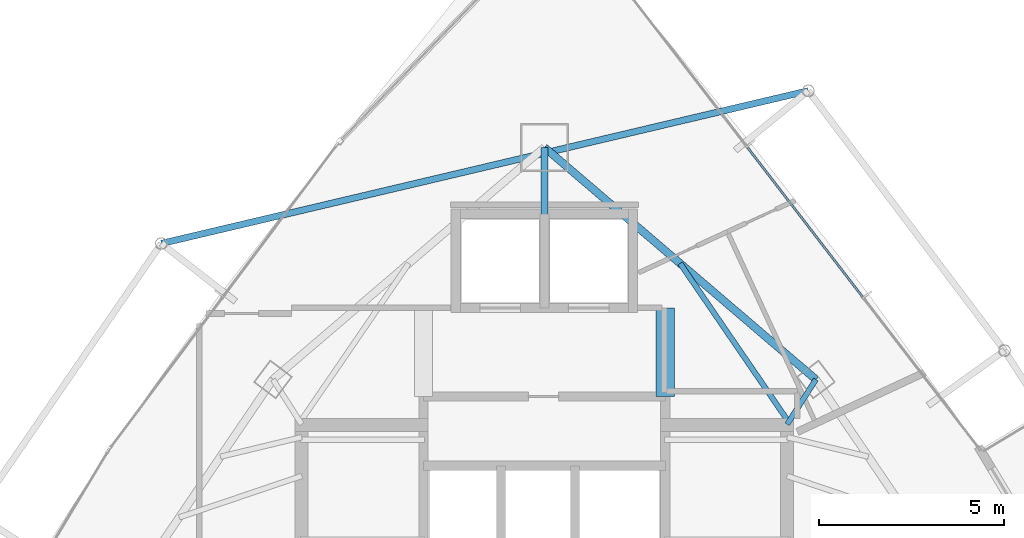
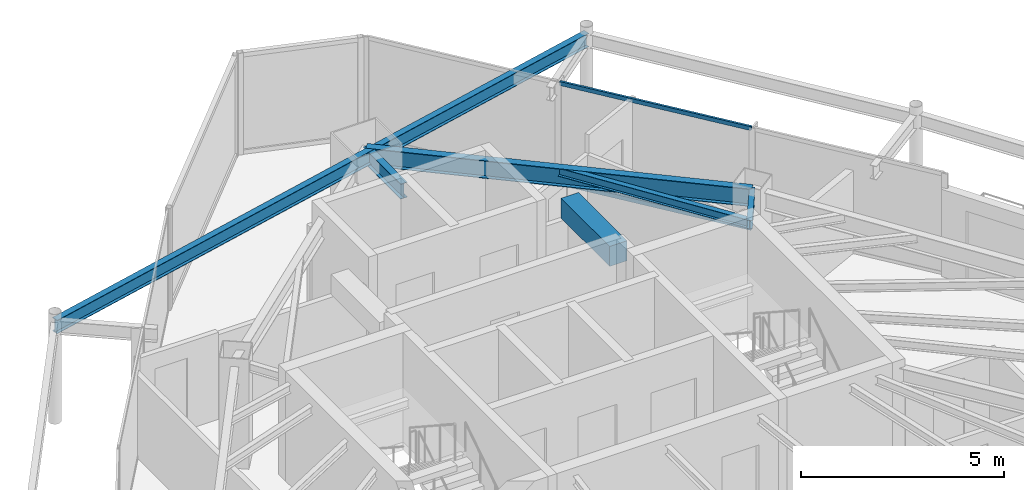
# One storey, part 25 of 33: 6 beams, 2 members, 1 element without a shape of its own.
"""IFC4 building model written with IfcOpenShell, lengths in metres."""

import ifcopenshell
import ifcopenshell.guid

model = None  # the IFC model being written
_history = None  # IfcOwnerHistory: only IFC2X3 demands one
_inside = {}  # id of a spatial element -> (the spatial element, [elements in it])
_under = {}  # id of a project, library or spatial element -> (it, [spatial elements below it])
_declared = {}  # id of a project -> (the project, [libraries it declares])
_typed = {}  # id of a type object -> (the type object, [elements of that type])
_made_of = {}  # id of a material, layer set ... -> (it, [elements and type objects made of it])


def new_model(schema):
    """Start an empty IFC model of exactly this schema.

    Asked for "IFC4X3", IfcOpenShell would pick the latest addendum, in which some entities
    have other attributes; the version numbers below select the first issue.
    IFC2X3 requires an IfcOwnerHistory on every rooted entity: one is made here for all.
    """
    global model, _history
    if schema == "IFC4X3":
        model = ifcopenshell.file(schema_version=(4, 3, 0, 0))
    else:
        model = ifcopenshell.file(schema=schema)
    _inside.clear()
    _under.clear()
    _declared.clear()
    _typed.clear()
    _made_of.clear()
    _history = None
    if model.schema == "IFC2X3":
        org = make("IfcOrganization", Name="unknown")
        user = make(
            "IfcPersonAndOrganization",
            ThePerson=make("IfcPerson", FamilyName="unknown"),
            TheOrganization=org,
        )
        app = make(
            "IfcApplication",
            ApplicationDeveloper=org,
            Version="unknown",
            ApplicationFullName="unknown",
            ApplicationIdentifier="unknown",
        )
        _history = make(
            "IfcOwnerHistory",
            OwningUser=user,
            OwningApplication=app,
            ChangeAction="ADDED",
            CreationDate=0,
        )
    return model


def make(cls, **values):
    """One entity of the class cls with the attributes given. An attribute that is None is left unset."""
    return model.create_entity(
        cls, **{name: value for name, value in values.items() if value is not None}
    )


def rooted(cls, **values):
    """An entity with a GlobalId (a new one), such as an element, a storey or a relation."""
    return make(cls, GlobalId=ifcopenshell.guid.new(), OwnerHistory=_history, **values)


def si_unit(unit_type, name, prefix=None):
    """IfcSIUnit, for example si_unit("LENGTHUNIT", "METRE", prefix="MILLI")."""
    return make("IfcSIUnit", UnitType=unit_type, Prefix=prefix, Name=name)


def assignment(units):
    """IfcUnitAssignment: the units of a project."""
    return None if units is None else make("IfcUnitAssignment", Units=units)


def point(xyz):
    """IfcCartesianPoint."""
    return None if xyz is None else make("IfcCartesianPoint", Coordinates=xyz)


def direction(xyz):
    """IfcDirection."""
    return None if xyz is None else make("IfcDirection", DirectionRatios=xyz)


def frame(location, z_axis=None, x_axis=None):
    """IfcAxis2Placement3D, a coordinate frame: its origin and axes. An axis left out is left unset."""
    return make(
        "IfcAxis2Placement3D",
        Location=point(location),
        Axis=direction(z_axis),
        RefDirection=direction(x_axis),
    )


def frame_2d(location, x_axis=None):
    """IfcAxis2Placement2D, a coordinate frame in the plane: its origin and x axis."""
    return make(
        "IfcAxis2Placement2D", Location=point(location), RefDirection=direction(x_axis)
    )


def origin():
    """The frame at (0, 0, 0) with its axes left unset."""
    return frame((0.0, 0.0, 0.0))


def origin_2d():
    """The frame at (0, 0) in the plane with its x axis left unset."""
    return frame_2d((0.0, 0.0))


def place(relative_to, where):
    """IfcLocalPlacement: puts the frame where relative to a parent placement (None: the world)."""
    return make(
        "IfcLocalPlacement", PlacementRelTo=relative_to, RelativePlacement=where
    )


def context(
    kind, dimensions, precision=None, world=None, true_north=None, identifier=None
):
    """IfcGeometricRepresentationContext, for example the 3D "Model" context."""
    return make(
        "IfcGeometricRepresentationContext",
        ContextIdentifier=identifier,
        ContextType=kind,
        CoordinateSpaceDimension=dimensions,
        Precision=precision,
        WorldCoordinateSystem=world,
        TrueNorth=true_north,
    )


def subcontext(parent, identifier, kind, view, scale=None):
    """IfcGeometricRepresentationSubContext, for example "Body" below "Model"."""
    return make(
        "IfcGeometricRepresentationSubContext",
        ContextIdentifier=identifier,
        ContextType=kind,
        ParentContext=parent,
        TargetScale=scale,
        TargetView=view,
    )


def project(units=None, contexts=None):
    """IfcProject with its units and contexts."""
    return rooted(
        "IfcProject",
        Name="project",
        RepresentationContexts=contexts,
        UnitsInContext=assignment(units),
    )


def spatial(cls, under=None, at=None, **own):
    """A site, building, storey or space (cls), placed at a placement, below another one or the project."""
    s = rooted(cls, ObjectPlacement=at, **own)
    if under is not None:
        _under.setdefault(under.id(), (under, []))[1].append(s)
    return s


def profile(cls, at=None, kind="AREA", **sizes):
    """A parametric profile (cls). Its sizes go by their IFC names, for example OverallWidth=200.0."""
    return make(cls, ProfileType=kind, Position=at, **sizes)


def rectangle(**sizes):
    """IfcRectangleProfileDef."""
    return profile("IfcRectangleProfileDef", **sizes)


def hollow_rectangle(**sizes):
    """IfcRectangleHollowProfileDef."""
    return profile("IfcRectangleHollowProfileDef", **sizes)


def i_section(**sizes):
    """IfcIShapeProfileDef."""
    return profile("IfcIShapeProfileDef", **sizes)


def extrude(swept, where, along, depth):
    """IfcExtrudedAreaSolid: the profile swept, set in the frame where, extruded along a direction by depth."""
    return make(
        "IfcExtrudedAreaSolid",
        SweptArea=swept,
        Position=where,
        ExtrudedDirection=direction(along),
        Depth=depth,
    )


def shape(context_of_items, identifier, shape_type, items):
    """IfcShapeRepresentation: the items that make up one representation, for example the "Body"."""
    return make(
        "IfcShapeRepresentation",
        ContextOfItems=context_of_items,
        RepresentationIdentifier=identifier,
        RepresentationType=shape_type,
        Items=items,
    )


def material(Name=None, Category=None):
    """IfcMaterial."""
    return make("IfcMaterial", Name=Name, Category=Category)


def layer(
    of_material, thickness, ventilated=None, Name=None, Category=None, Priority=None
):
    """IfcMaterialLayer: one layer of a wall or slab, of a material (None: an air gap)."""
    return make(
        "IfcMaterialLayer",
        Material=of_material,
        LayerThickness=thickness,
        IsVentilated=ventilated,
        Name=Name,
        Category=Category,
        Priority=Priority,
    )


def layer_set(layers, Name=None):
    """IfcMaterialLayerSet."""
    return make("IfcMaterialLayerSet", MaterialLayers=layers, LayerSetName=Name)


def material_profile(
    of_material, cross_section, Name=None, Category=None, Priority=None
):
    """IfcMaterialProfile: a cross section and its material."""
    return make(
        "IfcMaterialProfile",
        Name=Name,
        Material=of_material,
        Profile=cross_section,
        Priority=Priority,
        Category=Category,
    )


def profile_set(profiles, Name=None, composite=None):
    """IfcMaterialProfileSet."""
    return make(
        "IfcMaterialProfileSet",
        Name=Name,
        MaterialProfiles=profiles,
        CompositeProfile=composite,
    )


def made_of(thing, what):
    """Note that an element or type object is made of a material, layer set ...; save() writes the relation."""
    if what is not None:
        _made_of.setdefault(what.id(), (what, []))[1].append(thing)
    return thing


def type_object(cls, material=None, **own):
    """A type object (cls), such as IfcWallType, which elements share."""
    return made_of(rooted(cls, **own), material)


def element(
    cls,
    number,
    at=None,
    inside=None,
    cuts=None,
    type_object=None,
    material=None,
    context=None,
    identifier="Body",
    shape_type=None,
    held_by="IfcProductDefinitionShape",
    body=None,
    shapes=None,
    **own,
):
    """One element of the class cls, such as IfcWall. Its Tag is "e" and its number.

    at: its placement. inside: the storey or other place that contains it. cuts: it is an
    opening in that element (IfcRelVoidsElement). A single representation is given by context,
    identifier, shape_type and body (its items); several are given by shapes. held_by: the class
    of the entity that holds the representations. save() writes the other relations.
    """
    e = rooted(cls, Tag="e%d" % number, ObjectPlacement=at, **own)
    if body is not None:
        shapes = [shape(context, identifier, shape_type, body)]
    if shapes is not None:
        e.Representation = make(held_by, Representations=shapes)
    if inside is not None:
        _inside.setdefault(inside.id(), (inside, []))[1].append(e)
    if cuts is not None:
        rooted(
            "IfcRelVoidsElement", RelatingBuildingElement=cuts, RelatedOpeningElement=e
        )
    if type_object is not None:
        _typed.setdefault(type_object.id(), (type_object, []))[1].append(e)
    return made_of(e, material)


def aggregate(whole, parts):
    """IfcRelAggregates: a whole, such as a stair, and the parts it consists of."""
    return rooted("IfcRelAggregates", RelatingObject=whole, RelatedObjects=parts)


def save(model, path):
    """Write the relations noted so far, then the file.

    IfcRelAggregates (storeys below a building ...), IfcRelContainedInSpatialStructure (elements
    in a storey), IfcRelDefinesByType, IfcRelAssociatesMaterial and IfcRelDeclares: one each for
    every whole, place, type object, material and project.
    """
    for whole, parts in _under.values():
        aggregate(whole, parts)
    for where, things in _inside.values():
        rooted(
            "IfcRelContainedInSpatialStructure",
            RelatedElements=things,
            RelatingStructure=where,
        )
    for kind, things in _typed.values():
        rooted("IfcRelDefinesByType", RelatedObjects=things, RelatingType=kind)
    for what, things in _made_of.values():
        rooted("IfcRelAssociatesMaterial", RelatedObjects=things, RelatingMaterial=what)
    for by, libraries in _declared.values():
        rooted("IfcRelDeclares", RelatingContext=by, RelatedDefinitions=libraries)
    model.write(path)


model = new_model("IFC4")

# Units and contexts
model_context = context("Model", 3, precision=1e-05, world=origin(), true_north=direction((0.0, 1.0)))
body_context = subcontext(model_context, "Body", "Model", "MODEL_VIEW")
ifc_project = project(units=[si_unit("LENGTHUNIT", "METRE"), si_unit("AREAUNIT", "SQUARE_METRE"), si_unit("VOLUMEUNIT", "CUBIC_METRE"), si_unit("PLANEANGLEUNIT", "RADIAN"), si_unit("MASSUNIT", "GRAM", prefix="KILO")], contexts=[model_context])

# Site, building, storey
site_placement = place(None, origin())
site = spatial("IfcSite", under=ifc_project, at=site_placement, CompositionType="ELEMENT")
building_placement = place(site_placement, origin())
building = spatial("IfcBuilding", under=site, at=building_placement, Name="Orvanel Arch Residences", CompositionType="ELEMENT")
storey_placement = place(building_placement, frame((0.0, 0.0, 196.39990234375)))
storey = spatial("IfcBuildingStorey", under=building, at=storey_placement, Name="L55", CompositionType="ELEMENT", Elevation=196.39990234375)

# Beams
ifc_material_1 = material(Name="Structural steel AS/NZS 3679.1 Grade 300 (300 MPa)", Category="steel")
ifc_material_profile_1 = material_profile(ifc_material_1, i_section(OverallWidth=0.19091796875, OverallDepth=0.4599609375, WebThickness=0.010009765625, FlangeThickness=0.01611328125, at=origin_2d()), Name="460UB82.1")
ifc_profile_set_1 = profile_set([ifc_material_profile_1], Name="Structural steel AS/NZS 3679.1 Grade 300 (300 MPa)")
beam_type_1 = type_object("IfcBeamType", Name="BG-460UB", PredefinedType="BEAM", material=ifc_profile_set_1)
beam_1_placement = place(storey_placement, frame((33.0, 39.550048828125, 2.830078125), z_axis=(0.0, 1.0, 0.0), x_axis=(-1.0, 0.0, 0.0)))
element("IfcBeam", 1, at=beam_1_placement, inside=storey, type_object=beam_type_1, Name="L55 North Radial Girder", PredefinedType="BEAM", context=body_context, shape_type="SweptSolid", body=[
    extrude(i_section(OverallWidth=0.19091796875, OverallDepth=0.4599609375, WebThickness=0.010009765625, FlangeThickness=0.01611328125, at=origin_2d()), origin(), (0.0, 0.0, 1.0), 1.847900390625),
])
ifc_material_profile_2 = material_profile(ifc_material_1, i_section(OverallWidth=0.14599609375, OverallDepth=0.251953125, WebThickness=0.006103515625, FlangeThickness=0.008544921875, at=origin_2d()), Name="250UB31.4")
ifc_profile_set_2 = profile_set([ifc_material_profile_2], Name="Structural steel AS/NZS 3679.1 Grade 300 (300 MPa)")
beam_type_2 = type_object("IfcBeamType", Name="BJ-250UB", PredefinedType="JOIST", material=ifc_profile_set_2)
beam_2_placement = place(storey_placement, frame((39.574951171875, 33.89990234375, 2.93408203125), z_axis=(0.539395075146, 0.842052820735, 0.0), x_axis=(-0.842052820735, 0.539395075146, 0.0)))
element("IfcBeam", 2, at=beam_2_placement, inside=storey, type_object=beam_type_2, Name="L55 NNE Wing Floor Joist", PredefinedType="JOIST", context=body_context, shape_type="SweptSolid", body=[
    extrude(i_section(OverallWidth=0.14599609375, OverallDepth=0.251953125, WebThickness=0.006103515625, FlangeThickness=0.008544921875, at=origin_2d()), origin(), (0.0, 0.0, 1.0), 1.440673828125),
])
beam_3_placement = place(storey_placement, frame((39.574951171875, 34.02001953125, 2.93408203125), z_axis=(-0.564868085352, 0.825181220188, 0.0), x_axis=(-0.825181220188, -0.564868085352, 0.0)))
element("IfcBeam", 3, at=beam_3_placement, inside=storey, type_object=beam_type_2, Name="L55 NNE2 Wing Floor Joist", PredefinedType="JOIST", context=body_context, shape_type="SweptSolid", body=[
    extrude(i_section(OverallWidth=0.14599609375, OverallDepth=0.251953125, WebThickness=0.006103515625, FlangeThickness=0.008544921875, at=origin_2d()), origin(), (0.0, 0.0, 1.0), 5.132080078125),
])
ifc_material_2 = material(Name="Concrete S65 (65 MPa)", Category="concrete")
ifc_material_profile_3 = material_profile(ifc_material_2, rectangle(XDim=0.5, YDim=0.60009765625, at=origin_2d()), Name="RC500x600")
ifc_profile_set_3 = profile_set([ifc_material_profile_3], Name="Concrete S65 (65 MPa)")
beam_type_3 = type_object("IfcBeamType", Name="CB-500x600", PredefinedType="LINTEL", material=ifc_profile_set_3)
beam_4_placement = place(storey_placement, frame((36.27490234375, 34.64990234375, 2.760009765625), z_axis=(0.0, 1.0, 0.0), x_axis=(-1.0, 0.0, 0.0)))
element("IfcBeam", 4, at=beam_4_placement, inside=storey, type_object=beam_type_3, Name="L55 East Core Lobby Coupling Lintel Beam", PredefinedType="LINTEL", context=body_context, shape_type="SweptSolid", body=[
    extrude(rectangle(XDim=0.5, YDim=0.60009765625, at=origin_2d()), origin(), (0.0, 0.0, 1.0), 2.400146484375),
])
ifc_material_profile_4 = material_profile(ifc_material_1, i_section(OverallWidth=0.177978515625, OverallDepth=0.406005859375, WebThickness=0.0078125, FlangeThickness=0.0126953125, at=origin_2d()), Name="410UB59.7")
ifc_profile_set_4 = profile_set([ifc_material_profile_4], Name="Structural steel AS/NZS 3679.1 Grade 300 (300 MPa)")
beam_type_4 = type_object("IfcBeamType", Name="OB-410UB-EXT", PredefinedType="SPANDREL", material=ifc_profile_set_4)
beam_5_placement = place(storey_placement, frame((40.14697265625, 42.930908203125, 2.857177734375), z_axis=(-0.973256699632, -0.229720257314, 0.0), x_axis=(0.229720257314, -0.973256699632, 0.0)))
element("IfcBeam", 5, at=beam_5_placement, inside=storey, type_object=beam_type_4, Name="L55 Outer Perimeter Floor Ring Beam 12", PredefinedType="SPANDREL", context=body_context, shape_type="SweptSolid", body=[
    extrude(i_section(OverallWidth=0.177978515625, OverallDepth=0.406005859375, WebThickness=0.0078125, FlangeThickness=0.0126953125, at=origin_2d()), origin(), (0.0, 0.0, 1.0), 18.00439453125),
])
ifc_material_profile_5 = material_profile(ifc_material_1, i_section(OverallWidth=0.208984375, OverallDepth=0.532958984375, WebThickness=0.01025390625, FlangeThickness=0.015625, at=origin_2d()), Name="530UB92.4")
ifc_profile_set_5 = profile_set([ifc_material_profile_5], Name="Structural steel AS/NZS 3679.1 Grade 300 (300 MPa)")
beam_type_5 = type_object("IfcBeamType", Name="SP-530UB", PredefinedType="SPANDREL", material=ifc_profile_set_5)
beam_6_placement = place(storey_placement, frame((40.35205078125, 35.113037109375, 2.794189453125), z_axis=(-0.760116518398, 0.649786794617, 0.0), x_axis=(-0.649786794617, -0.760116518398, 0.0)))
element("IfcBeam", 6, at=beam_6_placement, inside=storey, type_object=beam_type_5, Name="L55 Perimeter Spandrel Beam 09", PredefinedType="SPANDREL", context=body_context, shape_type="SweptSolid", body=[
    extrude(i_section(OverallWidth=0.208984375, OverallDepth=0.532958984375, WebThickness=0.01025390625, FlangeThickness=0.015625, at=origin_2d()), origin(), (0.0, 0.0, 1.0), 9.67236328125),
])

# Curtain wall, members
ifc_material_3 = material(Name="Bronze-anodised aluminium AA6063-T6", Category="aluminium")
ifc_layer = layer(ifc_material_3, 0.175048828125)
ifc_layer_set = layer_set([ifc_layer], Name="Bronze-anodised aluminium AA6063-T6")
curtain_wall_type = type_object("IfcCurtainWallType", Name="CW4-HI-SYS", PredefinedType="NOTDEFINED", material=ifc_layer_set)
curtain_wall_placement = place(storey_placement, origin())
curtain_wall = element("IfcCurtainWall", 7, at=curtain_wall_placement, inside=storey, type_object=curtain_wall_type, Name="L55 CW4-HI-SYS Unitised Curtain Wall", PredefinedType="NOTDEFINED")
ifc_material_profile_6 = material_profile(ifc_material_3, hollow_rectangle(XDim=0.06005859375, YDim=0.1201171875, WallThickness=0.00341796875, at=origin_2d()), Name="ALU120x60x3.5")
ifc_profile_set_6 = profile_set([ifc_material_profile_6], Name="Bronze-anodised aluminium AA6063-T6")
member_type = type_object("IfcMemberType", Name="TRN-120x60", PredefinedType="USERDEFINED", material=ifc_profile_set_6)
member_1_placement = place(storey_placement, frame((41.6162109375, 37.350341796875, 0.030029296875), z_axis=(-0.610152149317, 0.792284263811, 0.0), x_axis=(-0.792284263811, -0.610152149317, 0.0)))
member_1 = element("IfcMember", 8, at=member_1_placement, type_object=member_type, Name="CW-S4 transom 2.1", ObjectType="TRANSOM", PredefinedType="USERDEFINED", context=body_context, shape_type="SweptSolid", body=[
    extrude(hollow_rectangle(XDim=0.06005859375, YDim=0.1201171875, WallThickness=0.00341796875, at=origin_2d()), origin(), (0.0, 0.0, 1.0), 5.1044921875),
])
member_2_placement = place(storey_placement, frame((41.6162109375, 37.350341796875, 3.030029296875), z_axis=(-0.610152149317, 0.792284263811, 0.0), x_axis=(-0.792284263811, -0.610152149317, 0.0)))
member_2 = element("IfcMember", 9, at=member_2_placement, type_object=member_type, Name="CW-S4 transom 2.2", ObjectType="TRANSOM", PredefinedType="USERDEFINED", context=body_context, shape_type="SweptSolid", body=[
    extrude(hollow_rectangle(XDim=0.06005859375, YDim=0.1201171875, WallThickness=0.00341796875, at=origin_2d()), origin(), (0.0, 0.0, 1.0), 5.1044921875),
])
aggregate(curtain_wall, [member_1, member_2])

save(model, "model.ifc")
